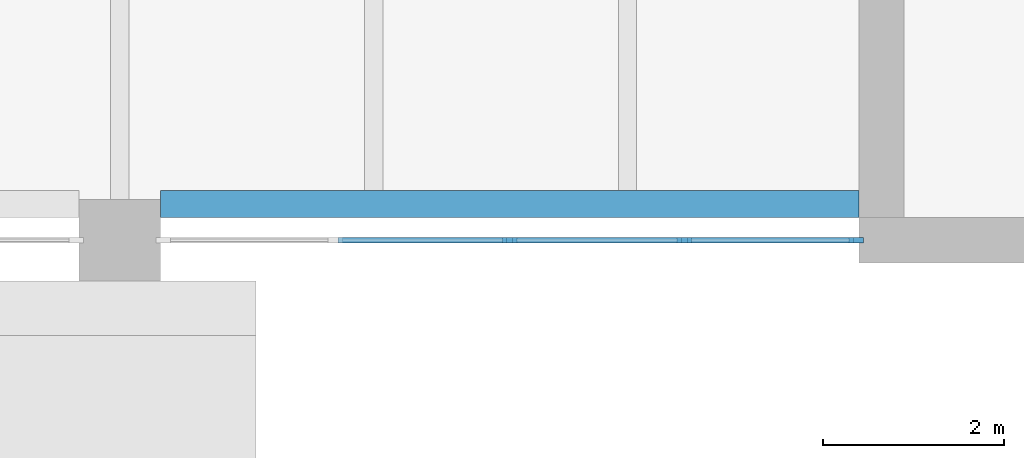
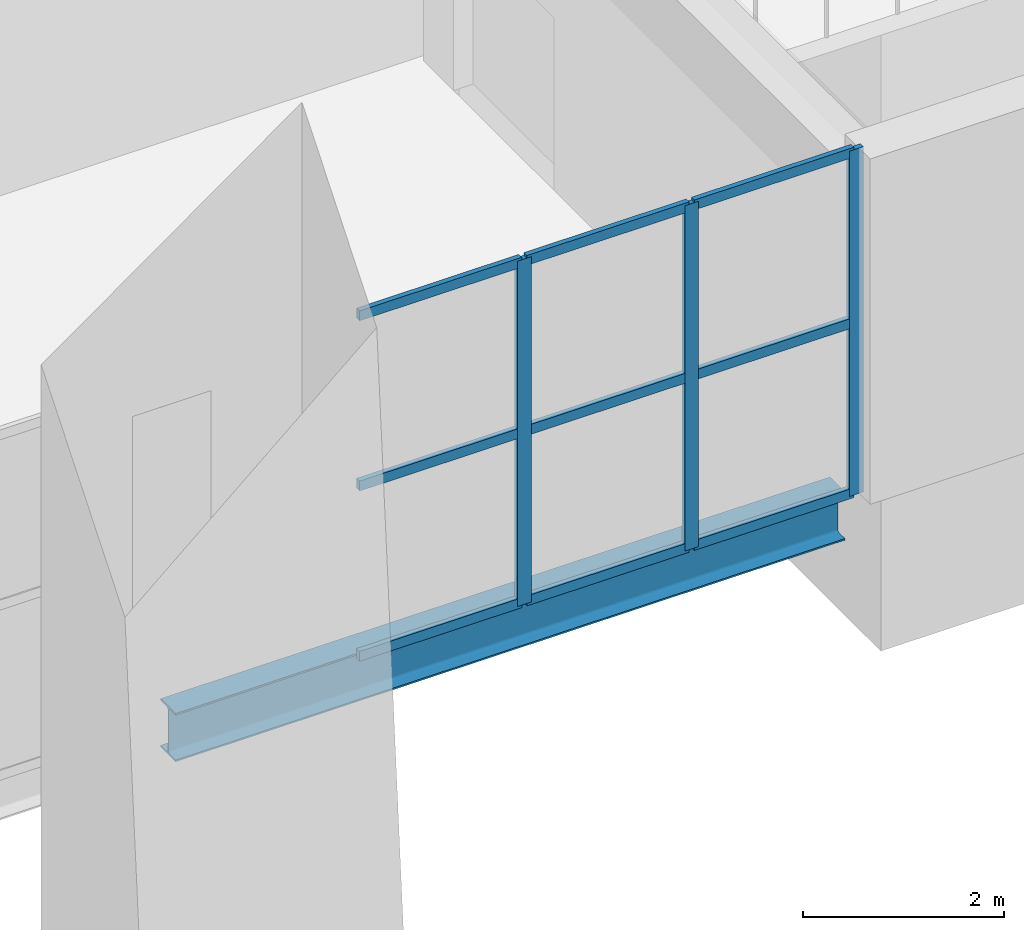
# One storey, part 35 of 88: 12 members, 1 beam, 1 element without a shape of its own.
"""IFC4 building model written with IfcOpenShell, lengths in metres."""

from ifc_helpers import new_model, si_unit, direction, frame, origin, origin_2d, place, context, subcontext, project, spatial, rectangle, i_section, extrude, material, layer, layer_set, material_profile, profile_set, type_object, element, aggregate, save


model = new_model("IFC4")

# Units and contexts
model_context = context("Model", 3, precision=1e-05, world=origin(), true_north=direction((0.0, 1.0)))
body_context = subcontext(model_context, "Body", "Model", "MODEL_VIEW")
ifc_project = project(units=[si_unit("LENGTHUNIT", "METRE"), si_unit("AREAUNIT", "SQUARE_METRE"), si_unit("VOLUMEUNIT", "CUBIC_METRE"), si_unit("PLANEANGLEUNIT", "RADIAN"), si_unit("MASSUNIT", "GRAM", prefix="KILO")], contexts=[model_context])

# Site, building, storey
site_placement = place(None, origin())
site = spatial("IfcSite", under=ifc_project, at=site_placement, CompositionType="ELEMENT")
building_placement = place(site_placement, origin())
building = spatial("IfcBuilding", under=site, at=building_placement, Name="Cresset Court Congress Hotel", CompositionType="ELEMENT")
storey_placement = place(building_placement, frame((0.0, 0.0, 14.39990234375)))
storey = spatial("IfcBuildingStorey", under=building, at=storey_placement, Name="L03", CompositionType="ELEMENT", Elevation=14.39990234375)

# Curtain wall, members
ifc_material_1 = material(Name="Aluminium and glass", Category="aluminium")
ifc_layer = layer(ifc_material_1, 0.199951171875)
ifc_layer_set = layer_set([ifc_layer], Name="Foyer curtain wall 1925 module")
curtain_wall_type = type_object("IfcCurtainWallType", Name="Foyer curtain wall 1925 module", PredefinedType="NOTDEFINED", material=ifc_layer_set)
curtain_wall_placement = place(storey_placement, origin())
curtain_wall = element("IfcCurtainWall", 1, at=curtain_wall_placement, inside=storey, type_object=curtain_wall_type, Name="Curtain wall CX-034", PredefinedType="NOTDEFINED")
ifc_material_2 = material(Name="Anodised aluminium", Category="aluminium")
ifc_material_profile_1 = material_profile(ifc_material_2, rectangle(XDim=0.06005859375, YDim=0.159912109375, at=origin_2d()), Name="AL60x160")
ifc_profile_set_1 = profile_set([ifc_material_profile_1], Name="Anodised aluminium")
member_type_1 = type_object("IfcMemberType", Name="Curtain wall mullion 60x160", PredefinedType="MULLION", material=ifc_profile_set_1)
member_1_placement = place(storey_placement, frame((105.10009765625, 58.800048828125, 0.0), z_axis=(0.0, 0.0, 1.0), x_axis=(0.0, 1.0, 0.0)))
member_1 = element("IfcMember", 2, at=member_1_placement, type_object=member_type_1, Name="C-X1 mullion 3", PredefinedType="MULLION", context=body_context, shape_type="SweptSolid", body=[
    extrude(rectangle(XDim=0.06005859375, YDim=0.159912109375, at=origin_2d()), origin(), (0.0, 0.0, 1.0), 4.2001953125),
])
member_2_placement = place(storey_placement, frame((107.02490234375, 58.800048828125, 0.0), z_axis=(0.0, 0.0, 1.0), x_axis=(0.0, 1.0, 0.0)))
member_2 = element("IfcMember", 3, at=member_2_placement, type_object=member_type_1, Name="C-X1 mullion 4", PredefinedType="MULLION", context=body_context, shape_type="SweptSolid", body=[
    extrude(rectangle(XDim=0.06005859375, YDim=0.159912109375, at=origin_2d()), origin(), (0.0, 0.0, 1.0), 4.2001953125),
])
member_3_placement = place(storey_placement, frame((108.919921875, 58.800048828125, 0.0), z_axis=(0.0, 0.0, 1.0), x_axis=(0.0, 1.0, 0.0)))
member_3 = element("IfcMember", 4, at=member_3_placement, type_object=member_type_1, Name="C-X1 mullion 5", PredefinedType="MULLION", context=body_context, shape_type="SweptSolid", body=[
    extrude(rectangle(XDim=0.06005859375, YDim=0.159912109375, at=origin_2d()), origin(), (0.0, 0.0, 1.0), 4.2001953125),
])
ifc_material_3 = material(Name="Anodised aluminium", Category="aluminium")
ifc_material_profile_2 = material_profile(ifc_material_3, rectangle(XDim=0.06005859375, YDim=0.1201171875, at=origin_2d()), Name="AL60x120")
ifc_profile_set_2 = profile_set([ifc_material_profile_2], Name="Anodised aluminium")
member_type_2 = type_object("IfcMemberType", Name="Curtain wall transom 60x120", PredefinedType="USERDEFINED", material=ifc_profile_set_2)
member_4_placement = place(storey_placement, frame((103.205078125, 58.800048828125, 0.030029296875), z_axis=(1.0, 0.0, 0.0), x_axis=(0.0, 1.0, 0.0)))
member_4 = element("IfcMember", 5, at=member_4_placement, type_object=member_type_2, Name="C-X1 transom 2.1", ObjectType="TRANSOM", PredefinedType="USERDEFINED", context=body_context, shape_type="SweptSolid", body=[
    extrude(rectangle(XDim=0.06005859375, YDim=0.1201171875, at=origin_2d()), origin(), (0.0, 0.0, 1.0), 1.864990234375),
])
member_5_placement = place(storey_placement, frame((103.205078125, 58.800048828125, 2.10009765625), z_axis=(1.0, 0.0, 0.0), x_axis=(0.0, 1.0, 0.0)))
member_5 = element("IfcMember", 6, at=member_5_placement, type_object=member_type_2, Name="C-X1 transom 2.2", ObjectType="TRANSOM", PredefinedType="USERDEFINED", context=body_context, shape_type="SweptSolid", body=[
    extrude(rectangle(XDim=0.06005859375, YDim=0.1201171875, at=origin_2d()), origin(), (0.0, 0.0, 1.0), 1.864990234375),
])
member_6_placement = place(storey_placement, frame((103.205078125, 58.800048828125, 4.170166015625), z_axis=(1.0, 0.0, 0.0), x_axis=(0.0, 1.0, 0.0)))
member_6 = element("IfcMember", 7, at=member_6_placement, type_object=member_type_2, Name="C-X1 transom 2.3", ObjectType="TRANSOM", PredefinedType="USERDEFINED", context=body_context, shape_type="SweptSolid", body=[
    extrude(rectangle(XDim=0.06005859375, YDim=0.1201171875, at=origin_2d()), origin(), (0.0, 0.0, 1.0), 1.864990234375),
])
member_7_placement = place(storey_placement, frame((105.1298828125, 58.800048828125, 0.030029296875), z_axis=(1.0, 0.0, 0.0), x_axis=(0.0, 1.0, 0.0)))
member_7 = element("IfcMember", 8, at=member_7_placement, type_object=member_type_2, Name="C-X1 transom 3.1", ObjectType="TRANSOM", PredefinedType="USERDEFINED", context=body_context, shape_type="SweptSolid", body=[
    extrude(rectangle(XDim=0.06005859375, YDim=0.1201171875, at=origin_2d()), origin(), (0.0, 0.0, 1.0), 1.865234375),
])
member_8_placement = place(storey_placement, frame((105.1298828125, 58.800048828125, 2.10009765625), z_axis=(1.0, 0.0, 0.0), x_axis=(0.0, 1.0, 0.0)))
member_8 = element("IfcMember", 9, at=member_8_placement, type_object=member_type_2, Name="C-X1 transom 3.2", ObjectType="TRANSOM", PredefinedType="USERDEFINED", context=body_context, shape_type="SweptSolid", body=[
    extrude(rectangle(XDim=0.06005859375, YDim=0.1201171875, at=origin_2d()), origin(), (0.0, 0.0, 1.0), 1.865234375),
])
member_9_placement = place(storey_placement, frame((105.1298828125, 58.800048828125, 4.170166015625), z_axis=(1.0, 0.0, 0.0), x_axis=(0.0, 1.0, 0.0)))
member_9 = element("IfcMember", 10, at=member_9_placement, type_object=member_type_2, Name="C-X1 transom 3.3", ObjectType="TRANSOM", PredefinedType="USERDEFINED", context=body_context, shape_type="SweptSolid", body=[
    extrude(rectangle(XDim=0.06005859375, YDim=0.1201171875, at=origin_2d()), origin(), (0.0, 0.0, 1.0), 1.865234375),
])
member_10_placement = place(storey_placement, frame((107.054931640625, 58.800048828125, 0.030029296875), z_axis=(1.0, 0.0, 0.0), x_axis=(0.0, 1.0, 0.0)))
member_10 = element("IfcMember", 11, at=member_10_placement, type_object=member_type_2, Name="C-X1 transom 4.1", ObjectType="TRANSOM", PredefinedType="USERDEFINED", context=body_context, shape_type="SweptSolid", body=[
    extrude(rectangle(XDim=0.06005859375, YDim=0.1201171875, at=origin_2d()), origin(), (0.0, 0.0, 1.0), 1.8349609375),
])
member_11_placement = place(storey_placement, frame((107.054931640625, 58.800048828125, 2.10009765625), z_axis=(1.0, 0.0, 0.0), x_axis=(0.0, 1.0, 0.0)))
member_11 = element("IfcMember", 12, at=member_11_placement, type_object=member_type_2, Name="C-X1 transom 4.2", ObjectType="TRANSOM", PredefinedType="USERDEFINED", context=body_context, shape_type="SweptSolid", body=[
    extrude(rectangle(XDim=0.06005859375, YDim=0.1201171875, at=origin_2d()), origin(), (0.0, 0.0, 1.0), 1.8349609375),
])
member_12_placement = place(storey_placement, frame((107.054931640625, 58.800048828125, 4.170166015625), z_axis=(1.0, 0.0, 0.0), x_axis=(0.0, 1.0, 0.0)))
member_12 = element("IfcMember", 13, at=member_12_placement, type_object=member_type_2, Name="C-X1 transom 4.3", ObjectType="TRANSOM", PredefinedType="USERDEFINED", context=body_context, shape_type="SweptSolid", body=[
    extrude(rectangle(XDim=0.06005859375, YDim=0.1201171875, at=origin_2d()), origin(), (0.0, 0.0, 1.0), 1.8349609375),
])
aggregate(curtain_wall, [member_1, member_2, member_3, member_4, member_5, member_6, member_7, member_8, member_9, member_10, member_11, member_12])

# Beam
ifc_material_4 = material(Name="Structural steel Q355B", Category="steel")
ifc_material_profile_3 = material_profile(ifc_material_4, i_section(OverallWidth=0.300048828125, OverallDepth=0.587890625, WebThickness=0.011962890625, FlangeThickness=0.02001953125, FilletRadius=0.028076171875, at=origin_2d()), Name="HM588x300x12x20")
ifc_profile_set_3 = profile_set([ifc_material_profile_3], Name="Structural steel Q355B")
beam_type = type_object("IfcBeamType", Name="Steel HM588x300x12x20 girder", PredefinedType="BEAM", material=ifc_profile_set_3)
beam_placement = place(storey_placement, frame((101.25, 59.199951171875, -0.44384765625), z_axis=(1.0, 0.0, 0.0), x_axis=(0.0, 1.0, 0.0)))
element("IfcBeam", 14, at=beam_placement, inside=storey, type_object=beam_type, Name="Girder CG-F038", PredefinedType="BEAM", context=body_context, shape_type="SweptSolid", body=[
    extrude(i_section(OverallWidth=0.300048828125, OverallDepth=0.587890625, WebThickness=0.011962890625, FlangeThickness=0.02001953125, FilletRadius=0.028076171875, at=origin_2d()), origin(), (0.0, 0.0, 1.0), 7.699951171875),
])

save(model, "model.ifc")
